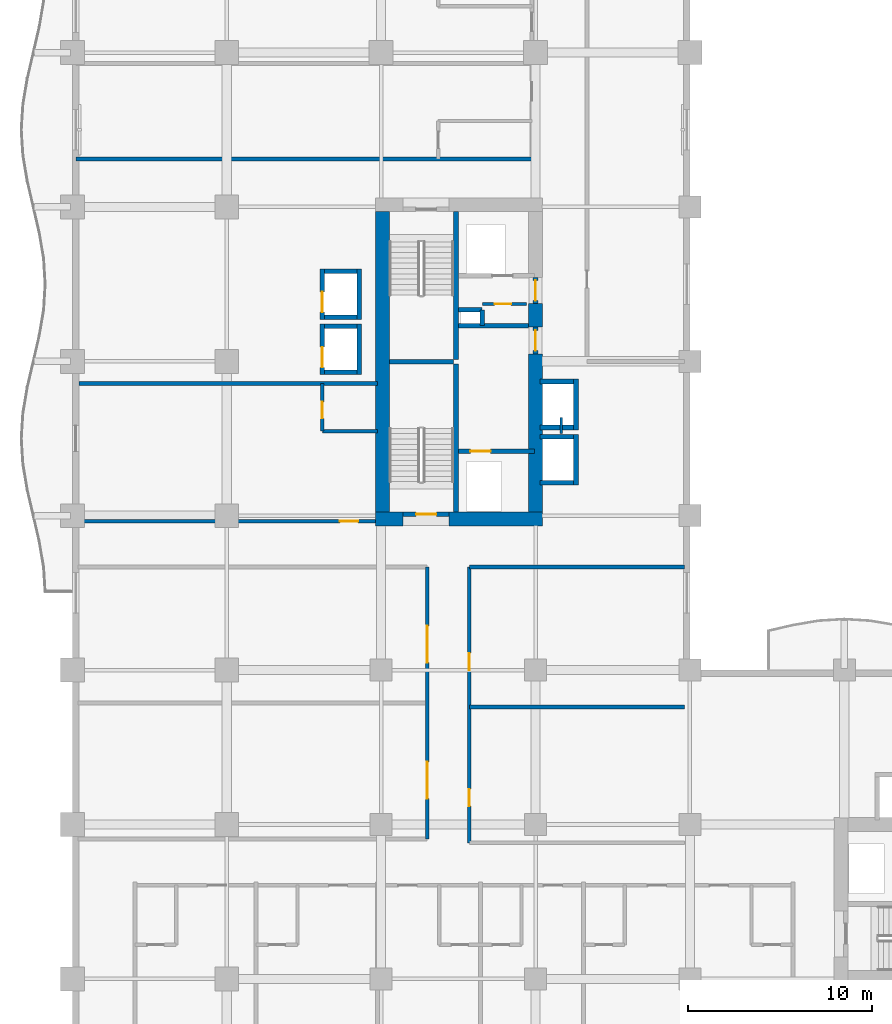
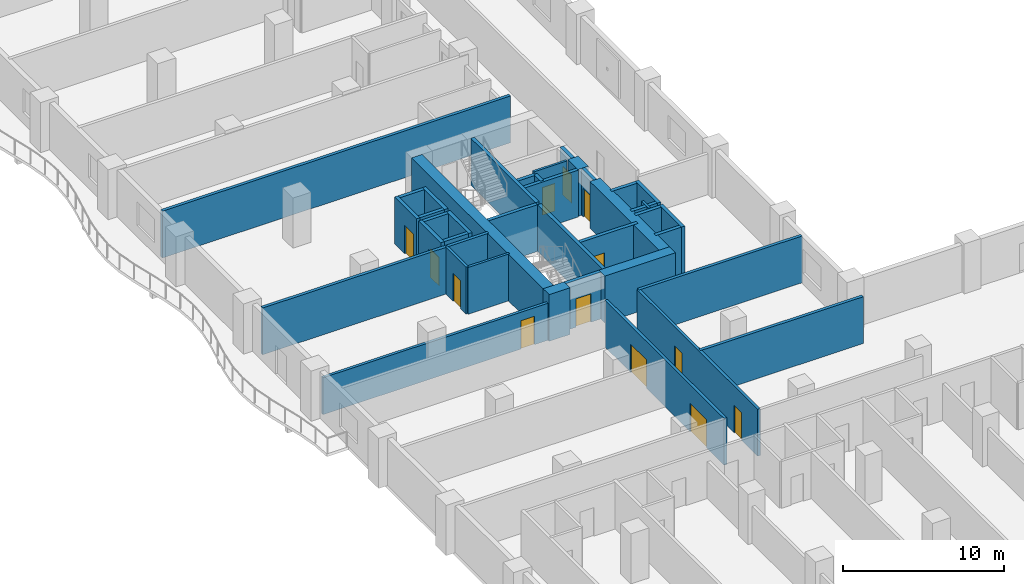
# One storey, part 10 of 20: 40 walls, 13 doors, 13 openings.
"""IFC4 building model written with IfcOpenShell, lengths in metres."""

from ifc_helpers import new_model, si_unit, direction, frame, frame_2d, origin, place, context, subcontext, project, spatial, rectangle, extrude, material, layer, layer_set, type_object, element, fill, save


model = new_model("IFC4")

# Units and contexts
model_context = context("Model", 3, precision=1e-05, world=origin(), true_north=direction((0.0, 1.0)))
body_context = subcontext(model_context, "Body", "Model", "MODEL_VIEW")
ifc_project = project(units=[si_unit("LENGTHUNIT", "METRE"), si_unit("AREAUNIT", "SQUARE_METRE"), si_unit("VOLUMEUNIT", "CUBIC_METRE"), si_unit("PLANEANGLEUNIT", "RADIAN"), si_unit("MASSUNIT", "GRAM", prefix="KILO")], contexts=[model_context])

# Site, building, storey
site_placement = place(None, origin())
site = spatial("IfcSite", under=ifc_project, at=site_placement, CompositionType="ELEMENT")
building_placement = place(site_placement, origin())
building = spatial("IfcBuilding", under=site, at=building_placement, Name="Koriwani Terraces Tower", CompositionType="ELEMENT")
storey_placement = place(building_placement, frame((0.0, 0.0, 126.60009765625)))
storey = spatial("IfcBuildingStorey", under=building, at=storey_placement, Name="L30", CompositionType="ELEMENT", Elevation=126.60009765625)

# Walls
ifc_material_1 = material(Name="Concrete C60/75", Category="concrete")
ifc_layer_1 = layer(ifc_material_1, 0.75, Name="Concrete C60/75")
ifc_layer_set_1 = layer_set([ifc_layer_1], Name="Concrete C60/75")
wall_type_1 = type_object("IfcWallType", Name="WALL_CORE_RC_750", PredefinedType="SHEAR", material=ifc_layer_set_1)
wall_1_placement = place(storey_placement, frame((16.5, 41.824951171875, 0.0), z_axis=(0.0, 0.0, 1.0), x_axis=(1.0, 0.0, 0.0)))
element("IfcWall", 1, at=wall_1_placement, inside=storey, type_object=wall_type_1, Name="L30 West Split Core Shear Wall S1", PredefinedType="SHEAR", context=body_context, shape_type="SweptSolid", body=[
    extrude(rectangle(XDim=1.5, YDim=0.75, at=frame_2d((0.75, 0.0))), origin(), (0.0, 0.0, 1.0), 3.5498046875),
])
wall_2_placement = place(storey_placement, frame((20.5, 41.824951171875, 0.0), z_axis=(0.0, 0.0, 1.0), x_axis=(1.0, 0.0, 0.0)))
element("IfcWall", 2, at=wall_2_placement, inside=storey, type_object=wall_type_1, Name="L30 West Split Core Shear Wall S2", PredefinedType="SHEAR", context=body_context, shape_type="SweptSolid", body=[
    extrude(rectangle(XDim=5.074951171875, YDim=0.75, at=frame_2d((2.53759765625, 0.0))), origin(), (0.0, 0.0, 1.0), 3.5498046875),
])
wall_3_placement = place(storey_placement, frame((16.875, 42.199951171875, 0.0), z_axis=(0.0, 0.0, 1.0), x_axis=(0.0, 1.0, 0.0)))
element("IfcWall", 3, at=wall_3_placement, inside=storey, type_object=wall_type_1, Name="L30 West Split Core Shear Wall W1", PredefinedType="SHEAR", context=body_context, shape_type="SweptSolid", body=[
    extrude(rectangle(XDim=16.35009765625, YDim=0.75, at=frame_2d((8.175048828125, 0.0))), origin(), (0.0, 0.0, 1.0), 3.5498046875),
])
wall_4_placement = place(storey_placement, frame((25.199951171875, 42.199951171875, 0.0), z_axis=(0.0, 0.0, 1.0), x_axis=(0.0, 1.0, 0.0)))
element("IfcWall", 4, at=wall_4_placement, inside=storey, type_object=wall_type_1, Name="L30 West Split Core Shear Wall E1", PredefinedType="SHEAR", context=body_context, shape_type="SweptSolid", body=[
    extrude(rectangle(XDim=8.60009765625, YDim=0.75, at=frame_2d((4.300048828125, 0.0))), origin(), (0.0, 0.0, 1.0), 3.5498046875),
])
wall_5_placement = place(storey_placement, frame((25.199951171875, 52.280029296875, 0.0), z_axis=(0.0, 0.0, 1.0), x_axis=(0.0, 1.0, 0.0)))
element("IfcWall", 5, at=wall_5_placement, inside=storey, type_object=wall_type_1, Name="L30 West Split Core Shear Wall E2", PredefinedType="SHEAR", context=body_context, shape_type="SweptSolid", body=[
    extrude(rectangle(XDim=1.27001953125, YDim=0.75, at=frame_2d((0.635009765625, 0.0))), origin(), (0.0, 0.0, 1.0), 3.5498046875),
])

# Wall, opening, door
ifc_material_2 = material(Name="Autoclaved Cellular Concrete Blockwork", Category="masonry")
ifc_layer_2 = layer(ifc_material_2, 0.199951171875, Name="Autoclaved Cellular Concrete Blockwork")
ifc_layer_set_2 = layer_set([ifc_layer_2], Name="Autoclaved Cellular Concrete Blockwork")
wall_type_2 = type_object("IfcWallType", Name="WALL_CORRIDOR_200", PredefinedType="PARTITIONING", material=ifc_layer_set_2)
wall_6_placement = place(storey_placement, frame((0.35009765625, 41.699951171875, 0.0), z_axis=(0.0, 0.0, 1.0), x_axis=(1.0, 0.0, 0.0)))
wall_6 = element("IfcWall", 6, at=wall_6_placement, inside=storey, type_object=wall_type_2, Name="L30 Interior Wall WREC-WS-L30", PredefinedType="PARTITIONING", context=body_context, shape_type="SweptSolid", body=[
    extrude(rectangle(XDim=16.25, YDim=0.199951171875, at=frame_2d((8.125, 0.0))), origin(), (0.0, 0.0, 1.0), 2.7998046875),
])
opening_1_placement = place(wall_6_placement, frame((14.199951171875, 0.0, 0.0)))
opening_1 = element("IfcOpeningElement", 7, at=opening_1_placement, cuts=wall_6, Name="Opening D-05", PredefinedType="OPENING", context=body_context, shape_type="SweptSolid", body=[
    extrude(rectangle(XDim=1.0, YDim=2.14990234375, at=frame_2d((0.5, 1.074951171875))), frame((0.0, 0.10986328125, 0.0), z_axis=(0.0, -1.0, 0.0), x_axis=(1.0, 0.0, 0.0)), (0.0, 0.0, 1.0), 0.219970703125),
])
ifc_material_3 = material(Name="Architectural Oak Fire Door", Category="wood")
door_type_1 = type_object("IfcDoorType", Name="DOOR_SUITE_ENTRY_1000X2150", OperationType="NOTDEFINED", PredefinedType="DOOR", material=ifc_material_3)
door_1_placement = place(opening_1_placement, origin())
door_1 = element("IfcDoor", 8, at=door_1_placement, inside=storey, type_object=door_type_1, Name="L30 Reclaimed West Suite Door", OperationType="SINGLE_SWING_RIGHT", OverallHeight=2.14990234375, OverallWidth=1.0, PredefinedType="DOOR", context=body_context, shape_type="SweptSolid", body=[
    extrude(rectangle(XDim=1.0, YDim=2.14990234375, at=frame_2d((0.5, 1.074951171875))), frame((0.0, 0.02490234375, 0.0), z_axis=(0.0, -1.0, 0.0), x_axis=(1.0, 0.0, 0.0)), (0.0, 0.0, 1.0), 0.050048828125),
])
fill(opening_1, door_1)

# Wall, openings, doors
wall_7_placement = place(storey_placement, frame((21.60009765625, 24.199951171875, 0.0), z_axis=(0.0, 0.0, 1.0), x_axis=(0.0, 1.0, 0.0)))
wall_7 = element("IfcWall", 9, at=wall_7_placement, inside=storey, type_object=wall_type_2, Name="L30 Interior Wall WIC2-W-L30", PredefinedType="PARTITIONING", context=body_context, shape_type="SweptSolid", body=[
    extrude(rectangle(XDim=15.0, YDim=0.199951171875, at=frame_2d((7.5, 0.0))), origin(), (0.0, 0.0, 1.0), 3.5498046875),
])
opening_2_placement = place(wall_7_placement, frame((2.0, 0.0, 0.0)))
opening_2 = element("IfcOpeningElement", 10, at=opening_2_placement, cuts=wall_7, Name="Opening D-06", PredefinedType="OPENING", context=body_context, shape_type="SweptSolid", body=[
    extrude(rectangle(XDim=0.919921875, YDim=2.10009765625, at=frame_2d((0.4599609375, 1.050048828125))), frame((0.0, 0.10986328125, 0.0), z_axis=(0.0, -1.0, 0.0), x_axis=(1.0, 0.0, 0.0)), (0.0, 0.0, 1.0), 0.219970703125),
])
opening_3_placement = place(wall_7_placement, frame((9.39990234375, 0.0, 0.0)))
opening_3 = element("IfcOpeningElement", 11, at=opening_3_placement, cuts=wall_7, Name="Opening D-06", PredefinedType="OPENING", context=body_context, shape_type="SweptSolid", body=[
    extrude(rectangle(XDim=0.919921875, YDim=2.10009765625, at=frame_2d((0.4599609375, 1.050048828125))), frame((0.0, 0.10986328125, 0.0), z_axis=(0.0, -1.0, 0.0), x_axis=(1.0, 0.0, 0.0)), (0.0, 0.0, 1.0), 0.219970703125),
])
door_type_2 = type_object("IfcDoorType", Name="DOOR_ROOM_INT_920X2100", OperationType="NOTDEFINED", PredefinedType="DOOR", material=ifc_material_3)
door_2_placement = place(opening_2_placement, origin())
door_2 = element("IfcDoor", 12, at=door_2_placement, inside=storey, type_object=door_type_2, Name="L30 Inner Court Salon Door", OperationType="SINGLE_SWING_RIGHT", OverallHeight=2.10009765625, OverallWidth=0.919921875, PredefinedType="DOOR", context=body_context, shape_type="SweptSolid", body=[
    extrude(rectangle(XDim=0.919921875, YDim=2.10009765625, at=frame_2d((0.4599609375, 1.050048828125))), frame((0.0, 0.02490234375, 0.0), z_axis=(0.0, -1.0, 0.0), x_axis=(1.0, 0.0, 0.0)), (0.0, 0.0, 1.0), 0.050048828125),
])
fill(opening_2, door_2)
door_3_placement = place(opening_3_placement, origin())
door_3 = element("IfcDoor", 13, at=door_3_placement, inside=storey, type_object=door_type_2, Name="L30 Inner Court Media Room Door", OperationType="SINGLE_SWING_LEFT", OverallHeight=2.10009765625, OverallWidth=0.919921875, PredefinedType="DOOR", context=body_context, shape_type="SweptSolid", body=[
    extrude(rectangle(XDim=0.919921875, YDim=2.10009765625, at=frame_2d((0.4599609375, 1.050048828125))), frame((0.0, 0.02490234375, 0.0), z_axis=(0.0, -1.0, 0.0), x_axis=(1.0, 0.0, 0.0)), (0.0, 0.0, 1.0), 0.050048828125),
])
fill(opening_3, door_3)

wall_8_placement = place(storey_placement, frame((19.300048828125, 24.39990234375, 0.0), z_axis=(0.0, 0.0, 1.0), x_axis=(0.0, 1.0, 0.0)))
wall_8 = element("IfcWall", 14, at=wall_8_placement, inside=storey, type_object=wall_type_2, Name="L30 Interior Wall WC2NWCL-L30", PredefinedType="PARTITIONING", context=body_context, shape_type="SweptSolid", body=[
    extrude(rectangle(XDim=14.800048828125, YDim=0.199951171875, at=frame_2d((7.39990234375, 0.0))), origin(), (0.0, 0.0, 1.0), 3.5498046875),
])
opening_4_placement = place(wall_8_placement, frame((2.199951171875, 0.0, 0.0)))
opening_4 = element("IfcOpeningElement", 15, at=opening_4_placement, cuts=wall_8, Name="Opening D-02", PredefinedType="OPENING", context=body_context, shape_type="SweptSolid", body=[
    extrude(rectangle(XDim=2.0, YDim=2.14990234375, at=frame_2d((1.0, 1.074951171875))), frame((0.0, 0.10986328125, 0.0), z_axis=(0.0, -1.0, 0.0), x_axis=(1.0, 0.0, 0.0)), (0.0, 0.0, 1.0), 0.219970703125),
])
opening_5_placement = place(wall_8_placement, frame((9.60009765625, 0.0, 0.0)))
opening_5 = element("IfcOpeningElement", 16, at=opening_5_placement, cuts=wall_8, Name="Opening D-02", PredefinedType="OPENING", context=body_context, shape_type="SweptSolid", body=[
    extrude(rectangle(XDim=2.0, YDim=2.14990234375, at=frame_2d((1.0, 1.074951171875))), frame((0.0, 0.10986328125, 0.0), z_axis=(0.0, -1.0, 0.0), x_axis=(1.0, 0.0, 0.0)), (0.0, 0.0, 1.0), 0.219970703125),
])
ifc_material_4 = material(Name="Anodised Bronze Aluminium", Category="aluminium")
door_type_3 = type_object("IfcDoorType", Name="DOOR_ENTRANCE_DOUBLE_2000X2400", OperationType="NOTDEFINED", PredefinedType="DOOR", material=ifc_material_4)
door_4_placement = place(opening_4_placement, origin())
door_4 = element("IfcDoor", 17, at=door_4_placement, inside=storey, type_object=door_type_3, Name="L30 Panorama Spa Door", OperationType="SINGLE_SWING_RIGHT", OverallHeight=2.14990234375, OverallWidth=2.0, PredefinedType="DOOR", context=body_context, shape_type="SweptSolid", body=[
    extrude(rectangle(XDim=2.0, YDim=2.14990234375, at=frame_2d((1.0, 1.074951171875))), frame((0.0, 0.02490234375, 0.0), z_axis=(0.0, -1.0, 0.0), x_axis=(1.0, 0.0, 0.0)), (0.0, 0.0, 1.0), 0.050048828125),
])
fill(opening_4, door_4)
door_5_placement = place(opening_5_placement, origin())
door_5 = element("IfcDoor", 18, at=door_5_placement, inside=storey, type_object=door_type_3, Name="L30 Panorama Library Door", OperationType="SINGLE_SWING_RIGHT", OverallHeight=2.14990234375, OverallWidth=2.0, PredefinedType="DOOR", context=body_context, shape_type="SweptSolid", body=[
    extrude(rectangle(XDim=2.0, YDim=2.14990234375, at=frame_2d((1.0, 1.074951171875))), frame((0.0, 0.02490234375, 0.0), z_axis=(0.0, -1.0, 0.0), x_axis=(1.0, 0.0, 0.0)), (0.0, 0.0, 1.0), 0.050048828125),
])
fill(opening_5, door_5)

# Walls
ifc_layer_3 = layer(ifc_material_2, 0.219970703125, Name="Autoclaved Cellular Concrete Blockwork")
ifc_layer_set_3 = layer_set([ifc_layer_3], Name="Autoclaved Cellular Concrete Blockwork")
wall_type_3 = type_object("IfcWallType", Name="WALL_DEMISING_220", PredefinedType="PARTITIONING", material=ifc_layer_set_3)
wall_9_placement = place(storey_placement, frame((0.35009765625, 49.199951171875, 0.0), z_axis=(0.0, 0.0, 1.0), x_axis=(1.0, 0.0, 0.0)))
element("IfcWall", 19, at=wall_9_placement, inside=storey, type_object=wall_type_3, Name="L30 Interior Wall WREC-WN-L30", PredefinedType="PARTITIONING", context=body_context, shape_type="SweptSolid", body=[
    extrude(rectangle(XDim=16.25, YDim=0.219970703125, at=frame_2d((8.125, 0.0))), origin(), (0.0, 0.0, 1.0), 3.5498046875),
])
for number, where, z_axis, x_axis, name in (
    (20, (21.60009765625, 31.60009765625, 0.0), (0.0, 0.0, 1.0), (1.0, 0.0, 0.0), "L30 Interior Wall WIC2-M-L30"),
    (21, (21.60009765625, 39.199951171875, 0.0), (0.0, 0.0, 1.0), (1.0, 0.0, 0.0), "L30 Interior Wall WIC2-N-L30"),
):
    element("IfcWall", number, at=place(storey_placement, frame(where, z_axis=z_axis, x_axis=x_axis)), inside=storey, type_object=wall_type_3, Name=name, PredefinedType="PARTITIONING", context=body_context, shape_type="SweptSolid", body=[
        extrude(rectangle(XDim=11.699951171875, YDim=0.219970703125, at=frame_2d((5.85009765625, 0.0))), origin(), (0.0, 0.0, 1.0), 3.5498046875),
    ])
wall_10_placement = place(storey_placement, frame((0.199951171875, 61.39990234375, 0.0), z_axis=(0.0, 0.0, 1.0), x_axis=(1.0, 0.0, 0.0)))
element("IfcWall", 22, at=wall_10_placement, inside=storey, type_object=wall_type_3, Name="L30 Interior Wall WDEM-L30-NE-0", PredefinedType="PARTITIONING", context=body_context, shape_type="SweptSolid", body=[
    extrude(rectangle(XDim=24.97998046875, YDim=0.219970703125, at=frame_2d((12.489990234375, 0.0))), origin(), (0.0, 0.0, 1.0), 3.5498046875),
])
ifc_material_5 = material(Name="Fire-Rated Acoustic Gypsum Partition", Category="masonry")
ifc_layer_4 = layer(ifc_material_5, 0.179931640625, Name="Fire-Rated Acoustic Gypsum Partition")
ifc_layer_set_4 = layer_set([ifc_layer_4], Name="Fire-Rated Acoustic Gypsum Partition")
wall_type_4 = type_object("IfcWallType", Name="WALL_PLUMBING_180", PredefinedType="PLUMBINGWALL", material=ifc_layer_set_4)
wall_11_placement = place(storey_placement, frame((13.60009765625, 46.60009765625, 0.0), z_axis=(0.0, 0.0, 1.0), x_axis=(1.0, 0.0, 0.0)))
element("IfcWall", 23, at=wall_11_placement, inside=storey, type_object=wall_type_4, Name="L30 Interior Wall WREC-WB1-L30", PredefinedType="PLUMBINGWALL", context=body_context, shape_type="SweptSolid", body=[
    extrude(rectangle(XDim=3.0, YDim=0.179931640625, at=frame_2d((1.5, 0.0))), origin(), (0.0, 0.0, 1.0), 3.5498046875),
])

# Wall, opening, door
wall_12_placement = place(storey_placement, frame((13.60009765625, 46.60009765625, 0.0), z_axis=(0.0, 0.0, 1.0), x_axis=(0.0, 1.0, 0.0)))
wall_12 = element("IfcWall", 24, at=wall_12_placement, inside=storey, type_object=wall_type_4, Name="L30 Interior Wall WREC-WB2-L30", PredefinedType="PLUMBINGWALL", context=body_context, shape_type="SweptSolid", body=[
    extrude(rectangle(XDim=2.599853515625, YDim=0.179931640625, at=frame_2d((1.2998046875, 0.0))), origin(), (0.0, 0.0, 1.0), 3.5498046875),
])
opening_6_placement = place(wall_12_placement, frame((0.699951171875, 0.0, 0.0)))
opening_6 = element("IfcOpeningElement", 25, at=opening_6_placement, cuts=wall_12, Name="Opening D-07", PredefinedType="OPENING", context=body_context, shape_type="SweptSolid", body=[
    extrude(rectangle(XDim=0.89990234375, YDim=2.10009765625, at=frame_2d((0.449951171875, 1.050048828125))), frame((0.0, 0.10009765625, 0.0), z_axis=(0.0, -1.0, 0.0), x_axis=(1.0, 0.0, 0.0)), (0.0, 0.0, 1.0), 0.199951171875),
])
door_type_4 = type_object("IfcDoorType", Name="DOOR_BATH_INT_900X2100", OperationType="NOTDEFINED", PredefinedType="DOOR", material=ifc_material_3)
door_6_placement = place(opening_6_placement, origin())
door_6 = element("IfcDoor", 26, at=door_6_placement, inside=storey, type_object=door_type_4, Name="L30 Reclaimed Suite En-Suite Door", OperationType="SINGLE_SWING_LEFT", OverallHeight=2.10009765625, OverallWidth=0.89990234375, PredefinedType="DOOR", context=body_context, shape_type="SweptSolid", body=[
    extrude(rectangle(XDim=0.89990234375, YDim=2.10009765625, at=frame_2d((0.449951171875, 1.050048828125))), frame((0.0, 0.02490234375, 0.0), z_axis=(0.0, -1.0, 0.0), x_axis=(1.0, 0.0, 0.0)), (0.0, 0.0, 1.0), 0.050048828125),
])
fill(opening_6, door_6)

# Walls
ifc_material_6 = material(Name="Concrete C40/50", Category="concrete")
ifc_layer_5 = layer(ifc_material_6, 0.25, Name="Concrete C40/50")
ifc_layer_set_5 = layer_set([ifc_layer_5], Name="Concrete C40/50")
wall_type_5 = type_object("IfcWallType", Name="WALL_SHAFT_RATED_250", PredefinedType="SOLIDWALL", material=ifc_layer_set_5)
for number, where, z_axis, x_axis, name in (
    (27, (20.875, 42.199951171875, 0.0), (0.0, 0.0, 1.0), (0.0, 1.0, 0.0), "L30 West Split Core Web Wall MID1"),
    (28, (20.875, 50.5, 0.0), (0.0, 0.0, 1.0), (0.0, 1.0, 0.0), "L30 West Split Core Web Wall MID2"),
):
    element("IfcWall", number, at=place(storey_placement, frame(where, z_axis=z_axis, x_axis=x_axis)), inside=storey, type_object=wall_type_5, Name=name, PredefinedType="SOLIDWALL", context=body_context, shape_type="SweptSolid", body=[
        extrude(rectangle(XDim=8.050048828125, YDim=0.25, at=frame_2d((4.02490234375, 0.0))), origin(), (0.0, 0.0, 1.0), 3.5498046875),
    ])
wall_13_placement = place(storey_placement, frame((17.25, 50.375, 0.0), z_axis=(0.0, 0.0, 1.0), x_axis=(1.0, 0.0, 0.0)))
element("IfcWall", 29, at=wall_13_placement, inside=storey, type_object=wall_type_5, Name="L30 West Split Core Stair Dividing Wall", PredefinedType="SOLIDWALL", context=body_context, shape_type="SweptSolid", body=[
    extrude(rectangle(XDim=3.5, YDim=0.25, at=frame_2d((1.75, 0.0))), origin(), (0.0, 0.0, 1.0), 3.5498046875),
])

# Wall, opening, door
wall_14_placement = place(storey_placement, frame((18.0, 42.074951171875, 0.0), z_axis=(0.0, 0.0, 1.0), x_axis=(1.0, 0.0, 0.0)))
wall_14 = element("IfcWall", 30, at=wall_14_placement, inside=storey, type_object=wall_type_5, Name="L30 Interior Wall WIN-CW-L30-STS", PredefinedType="SOLIDWALL", context=body_context, shape_type="SweptSolid", body=[
    extrude(rectangle(XDim=2.5, YDim=0.25, at=frame_2d((1.25, 0.0))), origin(), (0.0, 0.0, 1.0), 3.5498046875),
])
opening_7_placement = place(wall_14_placement, frame((0.699951171875, 0.0, 0.0)))
opening_7 = element("IfcOpeningElement", 31, at=opening_7_placement, cuts=wall_14, Name="Opening D-03", PredefinedType="OPENING", context=body_context, shape_type="SweptSolid", body=[
    extrude(rectangle(XDim=1.10009765625, YDim=2.14990234375, at=frame_2d((0.550048828125, 1.074951171875))), frame((0.0, 0.135009765625, 0.0), z_axis=(0.0, -1.0, 0.0), x_axis=(1.0, 0.0, 0.0)), (0.0, 0.0, 1.0), 0.27001953125),
])
ifc_material_7 = material(Name="Steel ASTM A572 Grade 50", Category="steel")
door_type_5 = type_object("IfcDoorType", Name="DOOR_STAIR_FIRE_1100X2150", OperationType="NOTDEFINED", PredefinedType="DOOR", material=ifc_material_7)
door_7_placement = place(opening_7_placement, origin())
door_7 = element("IfcDoor", 32, at=door_7_placement, inside=storey, type_object=door_type_5, Name="L30 Exit Stair ST-W1 Door", OperationType="SINGLE_SWING_RIGHT", OverallHeight=2.14990234375, OverallWidth=1.10009765625, PredefinedType="DOOR", context=body_context, shape_type="SweptSolid", body=[
    extrude(rectangle(XDim=1.10009765625, YDim=2.14990234375, at=frame_2d((0.550048828125, 1.074951171875))), frame((0.0, 0.02490234375, 0.0), z_axis=(0.0, -1.0, 0.0), x_axis=(1.0, 0.0, 0.0)), (0.0, 0.0, 1.0), 0.050048828125),
])
fill(opening_7, door_7)

wall_15_placement = place(storey_placement, frame((21.0, 45.5, 0.0), z_axis=(0.0, 0.0, 1.0), x_axis=(1.0, 0.0, 0.0)))
wall_15 = element("IfcWall", 33, at=wall_15_placement, inside=storey, type_object=wall_type_5, Name="L30 Interior Wall WIN-CW-L30-FE", PredefinedType="SOLIDWALL", context=body_context, shape_type="SweptSolid", body=[
    extrude(rectangle(XDim=4.14990234375, YDim=0.25, at=frame_2d((2.074951171875, 0.0))), origin(), (0.0, 0.0, 1.0), 3.5498046875),
])
opening_8_placement = place(wall_15_placement, frame((0.64990234375, 0.0, 0.0)))
opening_8 = element("IfcOpeningElement", 34, at=opening_8_placement, cuts=wall_15, Name="Opening LD-01", PredefinedType="OPENING", context=body_context, shape_type="SweptSolid", body=[
    extrude(rectangle(XDim=1.10009765625, YDim=2.14990234375, at=frame_2d((0.550048828125, 1.074951171875))), frame((0.0, 0.135009765625, 0.0), z_axis=(0.0, -1.0, 0.0), x_axis=(1.0, 0.0, 0.0)), (0.0, 0.0, 1.0), 0.27001953125),
])
door_type_6 = type_object("IfcDoorType", Name="DOOR_LIFT_LANDING_1100X2200", OperationType="NOTDEFINED", PredefinedType="DOOR", material=ifc_material_7)
door_8_placement = place(opening_8_placement, origin())
door_8 = element("IfcDoor", 35, at=door_8_placement, inside=storey, type_object=door_type_6, Name="L30 Firefighting Lift FE-01 Landing Door", OperationType="SLIDING_TO_LEFT", OverallHeight=2.14990234375, OverallWidth=1.10009765625, PredefinedType="DOOR", context=body_context, shape_type="SweptSolid", body=[
    extrude(rectangle(XDim=1.10009765625, YDim=2.14990234375, at=frame_2d((0.550048828125, 1.074951171875))), frame((0.0, 0.02490234375, 0.0), z_axis=(0.0, -1.0, 0.0), x_axis=(1.0, 0.0, 0.0)), (0.0, 0.0, 1.0), 0.050048828125),
])
fill(opening_8, door_8)

wall_16_placement = place(storey_placement, frame((25.199951171875, 50.800048828125, 0.0), z_axis=(0.0, 0.0, 1.0), x_axis=(0.0, 1.0, 0.0)))
wall_16 = element("IfcWall", 36, at=wall_16_placement, inside=storey, type_object=wall_type_5, Name="L30 Interior Wall WIN-CW-L30-EP", PredefinedType="SOLIDWALL", context=body_context, shape_type="SweptSolid", body=[
    extrude(rectangle(XDim=1.47998046875, YDim=0.25, at=frame_2d((0.739990234375, 0.0))), origin(), (0.0, 0.0, 1.0), 3.5498046875),
])
opening_9_placement = place(wall_16_placement, frame((0.179931640625, 0.0, 0.0)))
opening_9 = element("IfcOpeningElement", 37, at=opening_9_placement, cuts=wall_16, Name="Opening D-03", PredefinedType="OPENING", context=body_context, shape_type="SweptSolid", body=[
    extrude(rectangle(XDim=1.10009765625, YDim=2.14990234375, at=frame_2d((0.550048828125, 1.074951171875))), frame((0.0, 0.135009765625, 0.0), z_axis=(0.0, -1.0, 0.0), x_axis=(1.0, 0.0, 0.0)), (0.0, 0.0, 1.0), 0.27001953125),
])
door_9_placement = place(opening_9_placement, origin())
door_9 = element("IfcDoor", 38, at=door_9_placement, inside=storey, type_object=door_type_5, Name="L30 West Firefighting Lobby Door", OperationType="SINGLE_SWING_RIGHT", OverallHeight=2.14990234375, OverallWidth=1.10009765625, PredefinedType="DOOR", context=body_context, shape_type="SweptSolid", body=[
    extrude(rectangle(XDim=1.10009765625, YDim=2.14990234375, at=frame_2d((0.550048828125, 1.074951171875))), frame((0.0, 0.02490234375, 0.0), z_axis=(0.0, -1.0, 0.0), x_axis=(1.0, 0.0, 0.0)), (0.0, 0.0, 1.0), 0.050048828125),
])
fill(opening_9, door_9)

# Wall
wall_17_placement = place(storey_placement, frame((21.0, 52.340087890625, 0.0), z_axis=(0.0, 0.0, 1.0), x_axis=(1.0, 0.0, 0.0)))
element("IfcWall", 39, at=wall_17_placement, inside=storey, type_object=wall_type_5, Name="L30 Interior Wall WIN-CW-L30-FFN", PredefinedType="SOLIDWALL", context=body_context, shape_type="SweptSolid", body=[
    extrude(rectangle(XDim=3.824951171875, YDim=0.25, at=frame_2d((1.91259765625, 0.0))), origin(), (0.0, 0.0, 1.0), 3.5498046875),
])

# Wall, opening, door
wall_18_placement = place(storey_placement, frame((25.199951171875, 53.550048828125, 0.0), z_axis=(0.0, 0.0, 1.0), x_axis=(0.0, 1.0, 0.0)))
wall_18 = element("IfcWall", 40, at=wall_18_placement, inside=storey, type_object=wall_type_5, Name="L30 Interior Wall WIN-CW-L30-EP2", PredefinedType="SOLIDWALL", context=body_context, shape_type="SweptSolid", body=[
    extrude(rectangle(XDim=1.39990234375, YDim=0.25, at=frame_2d((0.699951171875, 0.0))), origin(), (0.0, 0.0, 1.0), 3.5498046875),
])
opening_10_placement = place(wall_18_placement, frame((0.14990234375, 0.0, 0.0)))
opening_10 = element("IfcOpeningElement", 41, at=opening_10_placement, cuts=wall_18, Name="Opening D-03", PredefinedType="OPENING", context=body_context, shape_type="SweptSolid", body=[
    extrude(rectangle(XDim=1.10009765625, YDim=2.14990234375, at=frame_2d((0.550048828125, 1.074951171875))), frame((0.0, 0.135009765625, 0.0), z_axis=(0.0, -1.0, 0.0), x_axis=(1.0, 0.0, 0.0)), (0.0, 0.0, 1.0), 0.27001953125),
])
door_10_placement = place(opening_10_placement, origin())
door_10 = element("IfcDoor", 42, at=door_10_placement, inside=storey, type_object=door_type_5, Name="L30 West Goods Lift Lobby Door", OperationType="SINGLE_SWING_LEFT", OverallHeight=2.14990234375, OverallWidth=1.10009765625, PredefinedType="DOOR", context=body_context, shape_type="SweptSolid", body=[
    extrude(rectangle(XDim=1.10009765625, YDim=2.14990234375, at=frame_2d((0.550048828125, 1.074951171875))), frame((0.0, 0.02490234375, 0.0), z_axis=(0.0, -1.0, 0.0), x_axis=(1.0, 0.0, 0.0)), (0.0, 0.0, 1.0), 0.050048828125),
])
fill(opening_10, door_10)

# Walls
wall_19_placement = place(storey_placement, frame((21.0, 53.199951171875, 0.0), z_axis=(0.0, 0.0, 1.0), x_axis=(1.0, 0.0, 0.0)))
element("IfcWall", 43, at=wall_19_placement, inside=storey, type_object=wall_type_5, Name="L30 Interior Wall WIN-CW-L30-RS1", PredefinedType="SOLIDWALL", context=body_context, shape_type="SweptSolid", body=[
    extrude(rectangle(XDim=1.300048828125, YDim=0.25, at=frame_2d((0.64990234375, 0.0))), origin(), (0.0, 0.0, 1.0), 3.5498046875),
])
wall_20_placement = place(storey_placement, frame((22.300048828125, 52.360107421875, 0.0), z_axis=(0.0, 0.0, 1.0), x_axis=(0.0, 1.0, 0.0)))
element("IfcWall", 44, at=wall_20_placement, inside=storey, type_object=wall_type_5, Name="L30 Interior Wall WIN-CW-L30-RS2", PredefinedType="SOLIDWALL", context=body_context, shape_type="SweptSolid", body=[
    extrude(rectangle(XDim=0.83984375, YDim=0.25, at=frame_2d((0.419921875, 0.0))), origin(), (0.0, 0.0, 1.0), 3.5498046875),
])

# Wall, opening, door
wall_21_placement = place(storey_placement, frame((13.60009765625, 49.675048828125, 0.0), z_axis=(0.0, 0.0, 1.0), x_axis=(0.0, 1.0, 0.0)))
wall_21 = element("IfcWall", 45, at=wall_21_placement, inside=storey, type_object=wall_type_5, Name="L30 Interior Wall WIN-LF-PE-M1-L30-F", PredefinedType="SOLIDWALL", context=body_context, shape_type="SweptSolid", body=[
    extrude(rectangle(XDim=2.75, YDim=0.25, at=frame_2d((1.375, 0.0))), origin(), (0.0, 0.0, 1.0), 3.5498046875),
])
opening_11_placement = place(wall_21_placement, frame((0.39990234375, 0.0, 0.0)))
opening_11 = element("IfcOpeningElement", 46, at=opening_11_placement, cuts=wall_21, Name="Opening LD-01", PredefinedType="OPENING", context=body_context, shape_type="SweptSolid", body=[
    extrude(rectangle(XDim=1.10009765625, YDim=2.14990234375, at=frame_2d((0.550048828125, 1.074951171875))), frame((0.0, 0.135009765625, 0.0), z_axis=(0.0, -1.0, 0.0), x_axis=(1.0, 0.0, 0.0)), (0.0, 0.0, 1.0), 0.27001953125),
])
door_11_placement = place(opening_11_placement, origin())
door_11 = element("IfcDoor", 47, at=door_11_placement, inside=storey, type_object=door_type_6, Name="L30 Passenger Lift PE-M1 Landing Door", OperationType="SLIDING_TO_LEFT", OverallHeight=2.14990234375, OverallWidth=1.10009765625, PredefinedType="DOOR", context=body_context, shape_type="SweptSolid", body=[
    extrude(rectangle(XDim=1.10009765625, YDim=2.14990234375, at=frame_2d((0.550048828125, 1.074951171875))), frame((0.0, 0.02490234375, 0.0), z_axis=(0.0, -1.0, 0.0), x_axis=(1.0, 0.0, 0.0)), (0.0, 0.0, 1.0), 0.050048828125),
])
fill(opening_11, door_11)

# Walls
wall_22_placement = place(storey_placement, frame((15.60009765625, 49.675048828125, 0.0), z_axis=(0.0, 0.0, 1.0), x_axis=(0.0, 1.0, 0.0)))
element("IfcWall", 48, at=wall_22_placement, inside=storey, type_object=wall_type_5, Name="L30 Interior Wall WIN-LF-PE-M1-L30-B", PredefinedType="SOLIDWALL", context=body_context, shape_type="SweptSolid", body=[
    extrude(rectangle(XDim=2.75, YDim=0.25, at=frame_2d((1.375, 0.0))), origin(), (0.0, 0.0, 1.0), 3.5498046875),
])
for number, where, z_axis, x_axis, name in (
    (49, (13.72509765625, 49.800048828125, 0.0), (0.0, 0.0, 1.0), (1.0, 0.0, 0.0), "L30 Interior Wall WIN-LF-PE-M1-L30-S"),
    (50, (13.72509765625, 52.300048828125, 0.0), (0.0, 0.0, 1.0), (1.0, 0.0, 0.0), "L30 Interior Wall WIN-LF-PE-M1-L30-N"),
):
    element("IfcWall", number, at=place(storey_placement, frame(where, z_axis=z_axis, x_axis=x_axis)), inside=storey, type_object=wall_type_5, Name=name, PredefinedType="SOLIDWALL", context=body_context, shape_type="SweptSolid", body=[
        extrude(rectangle(XDim=1.75, YDim=0.25, at=frame_2d((0.875, 0.0))), origin(), (0.0, 0.0, 1.0), 3.5498046875),
    ])

# Wall, opening, door
wall_23_placement = place(storey_placement, frame((13.60009765625, 52.675048828125, 0.0), z_axis=(0.0, 0.0, 1.0), x_axis=(0.0, 1.0, 0.0)))
wall_23 = element("IfcWall", 51, at=wall_23_placement, inside=storey, type_object=wall_type_5, Name="L30 Interior Wall WIN-LF-PE-M2-L30-F", PredefinedType="SOLIDWALL", context=body_context, shape_type="SweptSolid", body=[
    extrude(rectangle(XDim=2.75, YDim=0.25, at=frame_2d((1.375, 0.0))), origin(), (0.0, 0.0, 1.0), 3.5498046875),
])
opening_12_placement = place(wall_23_placement, frame((0.39990234375, 0.0, 0.0)))
opening_12 = element("IfcOpeningElement", 52, at=opening_12_placement, cuts=wall_23, Name="Opening LD-01", PredefinedType="OPENING", context=body_context, shape_type="SweptSolid", body=[
    extrude(rectangle(XDim=1.10009765625, YDim=2.14990234375, at=frame_2d((0.550048828125, 1.074951171875))), frame((0.0, 0.135009765625, 0.0), z_axis=(0.0, -1.0, 0.0), x_axis=(1.0, 0.0, 0.0)), (0.0, 0.0, 1.0), 0.27001953125),
])
door_12_placement = place(opening_12_placement, origin())
door_12 = element("IfcDoor", 53, at=door_12_placement, inside=storey, type_object=door_type_6, Name="L30 Passenger Lift PE-M2 Landing Door", OperationType="SLIDING_TO_LEFT", OverallHeight=2.14990234375, OverallWidth=1.10009765625, PredefinedType="DOOR", context=body_context, shape_type="SweptSolid", body=[
    extrude(rectangle(XDim=1.10009765625, YDim=2.14990234375, at=frame_2d((0.550048828125, 1.074951171875))), frame((0.0, 0.02490234375, 0.0), z_axis=(0.0, -1.0, 0.0), x_axis=(1.0, 0.0, 0.0)), (0.0, 0.0, 1.0), 0.050048828125),
])
fill(opening_12, door_12)

# Walls
wall_24_placement = place(storey_placement, frame((15.60009765625, 52.675048828125, 0.0), z_axis=(0.0, 0.0, 1.0), x_axis=(0.0, 1.0, 0.0)))
element("IfcWall", 54, at=wall_24_placement, inside=storey, type_object=wall_type_5, Name="L30 Interior Wall WIN-LF-PE-M2-L30-B", PredefinedType="SOLIDWALL", context=body_context, shape_type="SweptSolid", body=[
    extrude(rectangle(XDim=2.75, YDim=0.25, at=frame_2d((1.375, 0.0))), origin(), (0.0, 0.0, 1.0), 3.5498046875),
])
for number, where, z_axis, x_axis, name in (
    (55, (13.72509765625, 52.800048828125, 0.0), (0.0, 0.0, 1.0), (1.0, 0.0, 0.0), "L30 Interior Wall WIN-LF-PE-M2-L30-S"),
    (56, (13.72509765625, 55.300048828125, 0.0), (0.0, 0.0, 1.0), (1.0, 0.0, 0.0), "L30 Interior Wall WIN-LF-PE-M2-L30-N"),
):
    element("IfcWall", number, at=place(storey_placement, frame(where, z_axis=z_axis, x_axis=x_axis)), inside=storey, type_object=wall_type_5, Name=name, PredefinedType="SOLIDWALL", context=body_context, shape_type="SweptSolid", body=[
        extrude(rectangle(XDim=1.75, YDim=0.25, at=frame_2d((0.875, 0.0))), origin(), (0.0, 0.0, 1.0), 3.5498046875),
    ])
wall_25_placement = place(storey_placement, frame((27.39990234375, 43.675048828125, 0.0), z_axis=(0.0, 0.0, 1.0), x_axis=(0.0, 1.0, 0.0)))
element("IfcWall", 57, at=wall_25_placement, inside=storey, type_object=wall_type_5, Name="L30 Interior Wall WIN-LF-PE-H1-L30-F", PredefinedType="SOLIDWALL", context=body_context, shape_type="SweptSolid", body=[
    extrude(rectangle(XDim=2.75, YDim=0.25, at=frame_2d((1.375, 0.0))), origin(), (0.0, 0.0, 1.0), 3.5498046875),
])
for number, where, z_axis, x_axis, name in (
    (58, (25.449951171875, 43.800048828125, 0.0), (0.0, 0.0, 1.0), (1.0, 0.0, 0.0), "L30 Interior Wall WIN-LF-PE-H1-L30-S"),
    (59, (25.449951171875, 46.300048828125, 0.0), (0.0, 0.0, 1.0), (1.0, 0.0, 0.0), "L30 Interior Wall WIN-LF-PE-H1-L30-N"),
):
    element("IfcWall", number, at=place(storey_placement, frame(where, z_axis=z_axis, x_axis=x_axis)), inside=storey, type_object=wall_type_5, Name=name, PredefinedType="SOLIDWALL", context=body_context, shape_type="SweptSolid", body=[
        extrude(rectangle(XDim=1.824951171875, YDim=0.25, at=frame_2d((0.91259765625, 0.0))), origin(), (0.0, 0.0, 1.0), 3.5498046875),
    ])
wall_26_placement = place(storey_placement, frame((27.39990234375, 46.675048828125, 0.0), z_axis=(0.0, 0.0, 1.0), x_axis=(0.0, 1.0, 0.0)))
element("IfcWall", 60, at=wall_26_placement, inside=storey, type_object=wall_type_5, Name="L30 Interior Wall WIN-LF-PE-H2-L30-F", PredefinedType="SOLIDWALL", context=body_context, shape_type="SweptSolid", body=[
    extrude(rectangle(XDim=2.75, YDim=0.25, at=frame_2d((1.375, 0.0))), origin(), (0.0, 0.0, 1.0), 3.5498046875),
])
for number, where, z_axis, x_axis, name in (
    (61, (25.449951171875, 46.800048828125, 0.0), (0.0, 0.0, 1.0), (1.0, 0.0, 0.0), "L30 Interior Wall WIN-LF-PE-H2-L30-S"),
    (62, (25.449951171875, 49.300048828125, 0.0), (0.0, 0.0, 1.0), (1.0, 0.0, 0.0), "L30 Interior Wall WIN-LF-PE-H2-L30-N"),
):
    element("IfcWall", number, at=place(storey_placement, frame(where, z_axis=z_axis, x_axis=x_axis)), inside=storey, type_object=wall_type_5, Name=name, PredefinedType="SOLIDWALL", context=body_context, shape_type="SweptSolid", body=[
        extrude(rectangle(XDim=1.824951171875, YDim=0.25, at=frame_2d((0.91259765625, 0.0))), origin(), (0.0, 0.0, 1.0), 3.5498046875),
    ])

# Wall, opening, door
ifc_layer_6 = layer(ifc_material_5, 0.159912109375, Name="Fire-Rated Acoustic Gypsum Partition")
ifc_layer_set_6 = layer_set([ifc_layer_6], Name="Fire-Rated Acoustic Gypsum Partition")
wall_type_6 = type_object("IfcWallType", Name="WALL_SUITE_160", PredefinedType="PARTITIONING", material=ifc_layer_set_6)
wall_27_placement = place(storey_placement, frame((22.320068359375, 53.52001953125, 0.0), z_axis=(0.0, 0.0, 1.0), x_axis=(1.0, 0.0, 0.0)))
wall_27 = element("IfcWall", 63, at=wall_27_placement, inside=storey, type_object=wall_type_6, Name="L30 Interior Wall WIN-CW-L30-SV0", PredefinedType="PARTITIONING", context=body_context, shape_type="SweptSolid", body=[
    extrude(rectangle(XDim=2.39990234375, YDim=0.159912109375, at=frame_2d((1.199951171875, 0.0))), origin(), (0.0, 0.0, 1.0), 3.5498046875),
])
opening_13_placement = place(wall_27_placement, frame((0.64990234375, 0.0, 0.0)))
opening_13 = element("IfcOpeningElement", 64, at=opening_13_placement, cuts=wall_27, Name="Opening D-07", PredefinedType="OPENING", context=body_context, shape_type="SweptSolid", body=[
    extrude(rectangle(XDim=0.89990234375, YDim=2.10009765625, at=frame_2d((0.449951171875, 1.050048828125))), frame((0.0, 0.08984375, 0.0), z_axis=(0.0, -1.0, 0.0), x_axis=(1.0, 0.0, 0.0)), (0.0, 0.0, 1.0), 0.179931640625),
])
door_13_placement = place(opening_13_placement, origin())
door_13 = element("IfcDoor", 65, at=door_13_placement, inside=storey, type_object=door_type_4, Name="L30 West Electrical Switch Room Door", OperationType="SINGLE_SWING_RIGHT", OverallHeight=2.10009765625, OverallWidth=0.89990234375, PredefinedType="DOOR", context=body_context, shape_type="SweptSolid", body=[
    extrude(rectangle(XDim=0.89990234375, YDim=2.10009765625, at=frame_2d((0.449951171875, 1.050048828125))), frame((0.0, 0.02490234375, 0.0), z_axis=(0.0, -1.0, 0.0), x_axis=(1.0, 0.0, 0.0)), (0.0, 0.0, 1.0), 0.050048828125),
])
fill(opening_13, door_13)

# Wall
wall_28_placement = place(storey_placement, frame((26.60009765625, 46.4599609375, 0.0), z_axis=(0.0, 0.0, 1.0), x_axis=(0.0, 1.0, 0.0)))
element("IfcWall", 66, at=wall_28_placement, inside=storey, type_object=wall_type_6, Name="L30 Interior Wall WIN-LF-PEH12-MID-L30", PredefinedType="PARTITIONING", context=body_context, shape_type="SweptSolid", body=[
    extrude(rectangle(XDim=0.880126953125, YDim=0.159912109375, at=frame_2d((0.43994140625, 0.0))), origin(), (0.0, 0.0, 1.0), 3.5498046875),
])

save(model, "model.ifc")
